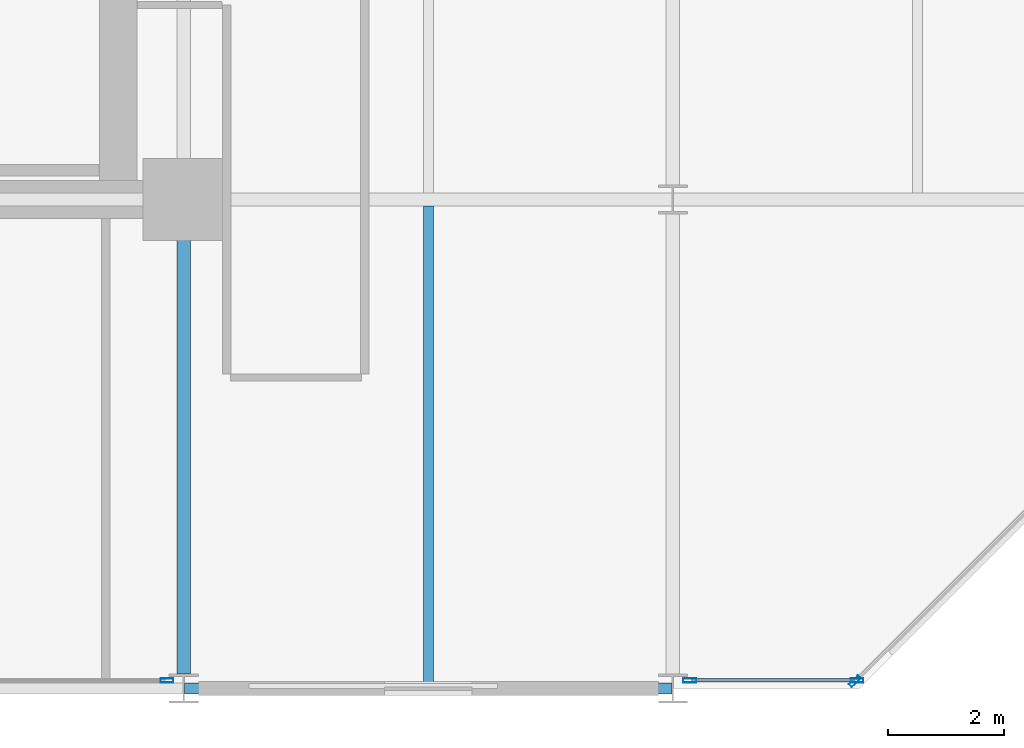
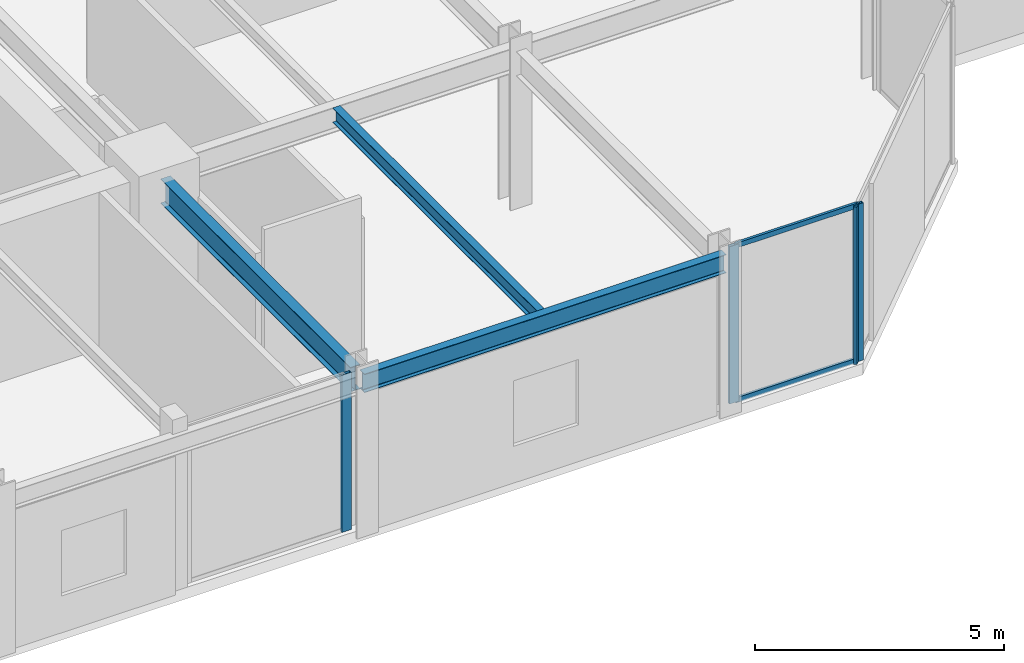
# One storey, part 11 of 26: 6 members, 3 beams, 3 elements without a shape of their own.
"""IFC4 building model written with IfcOpenShell, lengths in metres."""

from ifc_helpers import new_model, si_unit, direction, frame, origin, origin_2d, place, context, subcontext, project, spatial, hollow_rectangle, i_section, extrude, material, layer, layer_set, material_profile, profile_set, type_object, element, aggregate, save


model = new_model("IFC4")

# Units and contexts
model_context = context("Model", 3, precision=1e-05, world=origin(), true_north=direction((0.0, 1.0)))
body_context = subcontext(model_context, "Body", "Model", "MODEL_VIEW")
ifc_project = project(units=[si_unit("LENGTHUNIT", "METRE"), si_unit("AREAUNIT", "SQUARE_METRE"), si_unit("VOLUMEUNIT", "CUBIC_METRE"), si_unit("PLANEANGLEUNIT", "RADIAN"), si_unit("MASSUNIT", "GRAM", prefix="KILO")], contexts=[model_context])

# Site, building, storey
site_placement = place(None, origin())
site = spatial("IfcSite", under=ifc_project, at=site_placement, CompositionType="ELEMENT")
building_placement = place(site_placement, origin())
building = spatial("IfcBuilding", under=site, at=building_placement, Name="Nerrivon Quay Data Exchange", CompositionType="ELEMENT")
storey_placement = place(building_placement, frame((0.0, 0.0, 75.199951171875)))
storey = spatial("IfcBuildingStorey", under=building, at=storey_placement, Name="L17", CompositionType="ELEMENT", Elevation=75.199951171875)

# Beams
ifc_material_1 = material(Name="Steel Grade 350", Category="steel")
ifc_material_profile_1 = material_profile(ifc_material_1, i_section(OverallWidth=0.22802734375, OverallDepth=0.60205078125, WebThickness=0.010498046875, FlangeThickness=0.014892578125, FilletRadius=0.013916015625, at=origin_2d()), Name="610UB101")
ifc_profile_set_1 = profile_set([ifc_material_profile_1], Name="Steel Grade 350")
beam_type_1 = type_object("IfcBeamType", Name="BM-G2-610UB101", PredefinedType="BEAM", material=ifc_profile_set_1)
beam_1_placement = place(storey_placement, frame((33.60009765625, 0.25, 3.549072265625), z_axis=(0.0, 1.0, 0.0), x_axis=(-1.0, 0.0, 0.0)))
element("IfcBeam", 1, at=beam_1_placement, inside=storey, type_object=beam_type_1, Name="L17 NS Girder X=33.6 (0.0..8.4)", PredefinedType="BEAM", context=body_context, shape_type="SweptSolid", body=[
    extrude(i_section(OverallWidth=0.22802734375, OverallDepth=0.60205078125, WebThickness=0.010498046875, FlangeThickness=0.014892578125, FilletRadius=0.013916015625, at=origin_2d()), origin(), (0.0, 0.0, 1.0), 7.610107421875),
])
ifc_material_profile_2 = material_profile(ifc_material_1, i_section(OverallWidth=0.172119140625, OverallDepth=0.35888671875, WebThickness=0.008056640625, FlangeThickness=0.012939453125, FilletRadius=0.011474609375, at=origin_2d()), Name="360UB56.7")
ifc_profile_set_2 = profile_set([ifc_material_profile_2], Name="Steel Grade 350")
beam_type_2 = type_object("IfcBeamType", Name="BM-J3-360UB57", PredefinedType="JOIST", material=ifc_profile_set_2)
beam_2_placement = place(storey_placement, frame((37.800048828125, 0.094970703125, 3.670654296875), z_axis=(0.0, 1.0, 0.0), x_axis=(-1.0, 0.0, 0.0)))
element("IfcBeam", 2, at=beam_2_placement, inside=storey, type_object=beam_type_2, Name="L17 Secondary Joist X=37.8 (0.0..8.4)", PredefinedType="JOIST", context=body_context, shape_type="SweptSolid", body=[
    extrude(i_section(OverallWidth=0.172119140625, OverallDepth=0.35888671875, WebThickness=0.008056640625, FlangeThickness=0.012939453125, FilletRadius=0.011474609375, at=origin_2d()), origin(), (0.0, 0.0, 1.0), 8.1904296875),
])
ifc_material_profile_3 = material_profile(ifc_material_1, i_section(OverallWidth=0.18994140625, OverallDepth=0.4541015625, WebThickness=0.008544921875, FlangeThickness=0.0126953125, FilletRadius=0.011474609375, at=origin_2d()), Name="460UB67.1")
ifc_profile_set_3 = profile_set([ifc_material_profile_3], Name="Steel Grade 350")
beam_type_3 = type_object("IfcBeamType", Name="BM-SP1-460UB67", PredefinedType="SPANDREL", material=ifc_profile_set_3)
beam_3_placement = place(storey_placement, frame((33.614013671875, 0.0, 3.623046875), z_axis=(1.0, 0.0, 0.0), x_axis=(0.0, 1.0, 0.0)))
element("IfcBeam", 3, at=beam_3_placement, inside=storey, type_object=beam_type_3, Name="L17 EW Girder Y=0.0 (33.6..42.0)", PredefinedType="SPANDREL", context=body_context, shape_type="SweptSolid", body=[
    extrude(i_section(OverallWidth=0.18994140625, OverallDepth=0.4541015625, WebThickness=0.008544921875, FlangeThickness=0.0126953125, FilletRadius=0.011474609375, at=origin_2d()), origin(), (0.0, 0.0, 1.0), 8.3720703125),
])

# Curtain wall, member
ifc_material_2 = material(Name="Anodised aluminium 6063-T6", Category="aluminium")
ifc_layer = layer(ifc_material_2, 0.219970703125)
ifc_layer_set = layer_set([ifc_layer], Name="Anodised aluminium 6063-T6")
curtain_wall_type = type_object("IfcCurtainWallType", Name="CW-SYS-01", PredefinedType="NOTDEFINED", material=ifc_layer_set)
curtain_wall_1_placement = place(storey_placement, origin())
curtain_wall_1 = element("IfcCurtainWall", 4, at=curtain_wall_1_placement, inside=storey, type_object=curtain_wall_type, Name="L17 Unitised Curtain Wall 5", PredefinedType="NOTDEFINED")
ifc_material_profile_4 = material_profile(ifc_material_2, hollow_rectangle(XDim=0.074951171875, YDim=0.219970703125, WallThickness=0.00390625, at=origin_2d()), Name="ALU-MULL-220x75")
ifc_profile_set_4 = profile_set([ifc_material_profile_4], Name="Anodised aluminium 6063-T6")
member_type_1 = type_object("IfcMemberType", Name="CWM-220x75", PredefinedType="MULLION", material=ifc_profile_set_4)
member_1_placement = place(storey_placement, frame((45.12744140625, 0.12548828125, 0.0), z_axis=(0.0, 0.0, 1.0), x_axis=(0.707106781187, -0.707106781187, 0.0)))
member_1 = element("IfcMember", 5, at=member_1_placement, type_object=member_type_1, Name="CW01 mullion 2", PredefinedType="MULLION", context=body_context, shape_type="SweptSolid", body=[
    extrude(hollow_rectangle(XDim=0.074951171875, YDim=0.219970703125, WallThickness=0.00390625, at=origin_2d()), origin(), (0.0, 0.0, 1.0), 3.85009765625),
])
aggregate(curtain_wall_1, [member_1])

# Curtain wall, members
curtain_wall_2_placement = place(storey_placement, origin())
curtain_wall_2 = element("IfcCurtainWall", 6, at=curtain_wall_2_placement, inside=storey, type_object=curtain_wall_type, Name="L17 Unitised Curtain Wall 6", PredefinedType="NOTDEFINED")
member_2_placement = place(storey_placement, frame((45.16259765625, 0.139892578125, 0.0), z_axis=(0.0, 0.0, 1.0), x_axis=(0.0, -1.0, 0.0)))
member_2 = element("IfcMember", 7, at=member_2_placement, type_object=member_type_1, Name="CW01 mullion 1", PredefinedType="MULLION", context=body_context, shape_type="SweptSolid", body=[
    extrude(hollow_rectangle(XDim=0.074951171875, YDim=0.219970703125, WallThickness=0.00390625, at=origin_2d()), origin(), (0.0, 0.0, 1.0), 3.85009765625),
])
member_3_placement = place(storey_placement, frame((42.28759765625, 0.139892578125, 0.0), z_axis=(0.0, 0.0, 1.0), x_axis=(0.0, -1.0, 0.0)))
member_3 = element("IfcMember", 8, at=member_3_placement, type_object=member_type_1, Name="CW01 mullion 2", PredefinedType="MULLION", context=body_context, shape_type="SweptSolid", body=[
    extrude(hollow_rectangle(XDim=0.074951171875, YDim=0.219970703125, WallThickness=0.00390625, at=origin_2d()), origin(), (0.0, 0.0, 1.0), 3.85009765625),
])

# Curtain wall, member
curtain_wall_3_placement = place(storey_placement, origin())
curtain_wall_3 = element("IfcCurtainWall", 9, at=curtain_wall_3_placement, inside=storey, type_object=curtain_wall_type, Name="L17 Unitised Curtain Wall 8", PredefinedType="NOTDEFINED")
member_4_placement = place(storey_placement, frame((33.3125, 0.139892578125, 0.0), z_axis=(0.0, 0.0, 1.0), x_axis=(0.0, -1.0, 0.0)))
member_4 = element("IfcMember", 10, at=member_4_placement, type_object=member_type_1, Name="CW01 mullion 1", PredefinedType="MULLION", context=body_context, shape_type="SweptSolid", body=[
    extrude(hollow_rectangle(XDim=0.074951171875, YDim=0.219970703125, WallThickness=0.00390625, at=origin_2d()), origin(), (0.0, 0.0, 1.0), 3.85009765625),
])
aggregate(curtain_wall_3, [member_4])

# Member
ifc_material_profile_5 = material_profile(ifc_material_2, hollow_rectangle(XDim=0.06005859375, YDim=0.1201171875, WallThickness=0.003173828125, at=origin_2d()), Name="ALU-TRAN-120x60")
ifc_profile_set_5 = profile_set([ifc_material_profile_5], Name="Anodised aluminium 6063-T6")
member_type_2 = type_object("IfcMemberType", Name="CWT-120x60", PredefinedType="USERDEFINED", material=ifc_profile_set_5)
member_5_placement = place(storey_placement, frame((45.125, 0.139892578125, 0.032470703125), z_axis=(-1.0, 0.0, 0.0), x_axis=(0.0, -1.0, 0.0)))
member_5 = element("IfcMember", 11, at=member_5_placement, type_object=member_type_2, Name="CW01 transom 1.1", ObjectType="TRANSOM", PredefinedType="USERDEFINED", context=body_context, shape_type="SweptSolid", body=[
    extrude(hollow_rectangle(XDim=0.06005859375, YDim=0.1201171875, WallThickness=0.003173828125, at=origin_2d()), origin(), (0.0, 0.0, 1.0), 2.800048828125),
])

member_6_placement = place(storey_placement, frame((45.125, 0.139892578125, 3.817626953125), z_axis=(-1.0, 0.0, 0.0), x_axis=(0.0, -1.0, 0.0)))
member_6 = element("IfcMember", 12, at=member_6_placement, type_object=member_type_2, Name="CW01 transom 1.2", ObjectType="TRANSOM", PredefinedType="USERDEFINED", context=body_context, shape_type="SweptSolid", body=[
    extrude(hollow_rectangle(XDim=0.06005859375, YDim=0.1201171875, WallThickness=0.003173828125, at=origin_2d()), origin(), (0.0, 0.0, 1.0), 2.800048828125),
])

aggregate(curtain_wall_2, [member_2, member_3, member_5, member_6])

save(model, "model.ifc")
